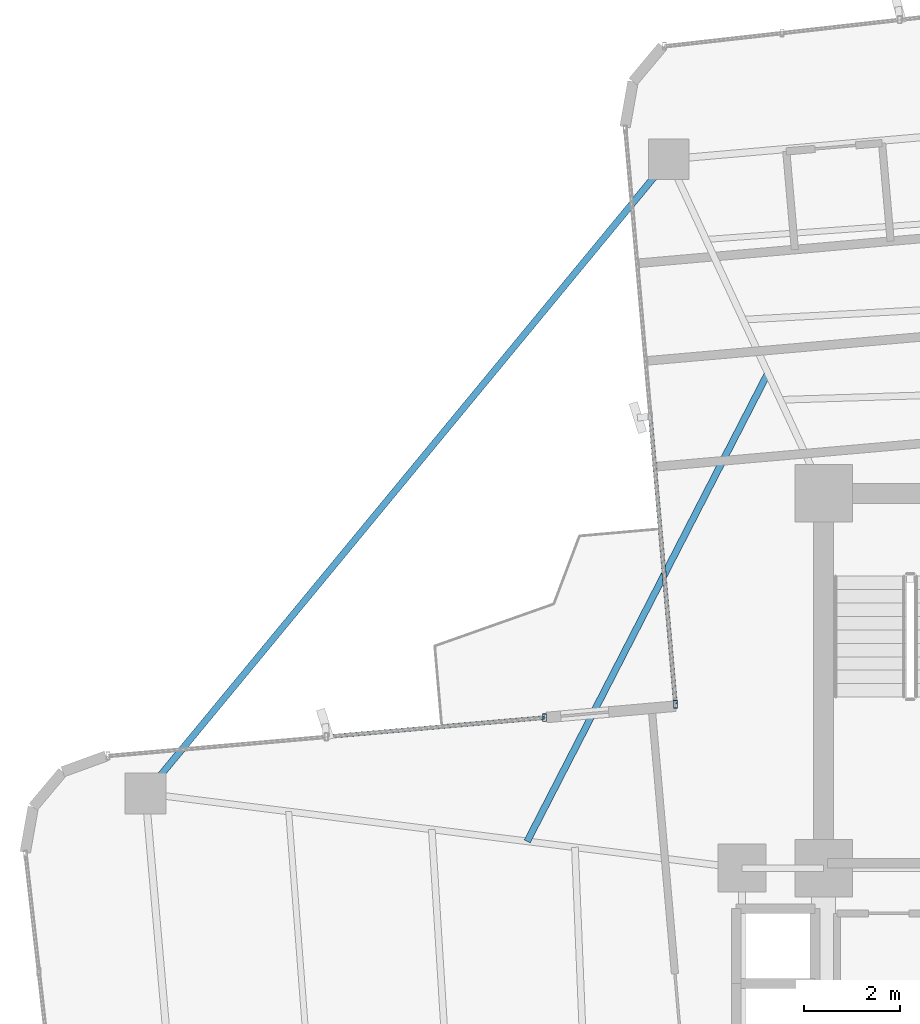
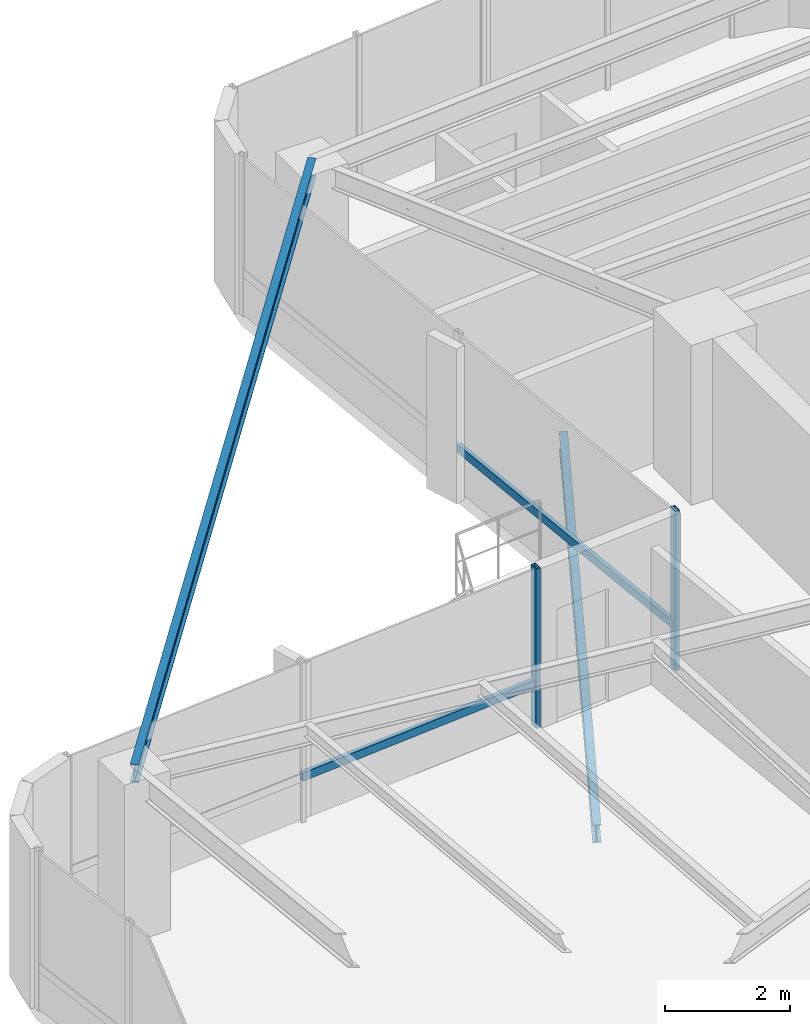
# One storey, part 10 of 24: 4 members, 2 beams, 2 elements without a shape of their own.
"""IFC4 building model written with IfcOpenShell, lengths in metres."""

from ifc_helpers import new_model, si_unit, direction, frame, origin, origin_2d, place, context, subcontext, project, spatial, hollow_rectangle, i_section, extrude, source, transform, mapped, material, material_profile, profile_set, type_object, element, aggregate, save


model = new_model("IFC4")

# Units and contexts
model_context = context("Model", 3, precision=1e-05, world=origin(), true_north=direction((0.0, 1.0)))
body_context = subcontext(model_context, "Body", "Model", "MODEL_VIEW")
ifc_project = project(units=[si_unit("LENGTHUNIT", "METRE"), si_unit("AREAUNIT", "SQUARE_METRE"), si_unit("VOLUMEUNIT", "CUBIC_METRE"), si_unit("PLANEANGLEUNIT", "RADIAN"), si_unit("MASSUNIT", "GRAM", prefix="KILO")], contexts=[model_context])

# Site, building, storey
site_placement = place(None, origin())
site = spatial("IfcSite", under=ifc_project, at=site_placement, CompositionType="ELEMENT")
building_placement = place(site_placement, origin())
building = spatial("IfcBuilding", under=site, at=building_placement, Name="Sahyath Konkavel Grand Hotel", CompositionType="ELEMENT")
storey_placement = place(building_placement, frame((0.0, 0.0, 150.60009765625)))
storey = spatial("IfcBuildingStorey", under=building, at=storey_placement, Name="L41", CompositionType="ELEMENT", Elevation=150.60009765625)

# Beam
ifc_material_1 = material(Name="Steel E350", Category="steel")
ifc_material_profile_1 = material_profile(ifc_material_1, i_section(OverallWidth=0.139892578125, OverallDepth=0.35009765625, WebThickness=0.008056640625, FlangeThickness=0.01416015625, FilletRadius=0.013916015625, at=origin_2d()), Name="ISMB 350")
ifc_profile_set_1 = profile_set([ifc_material_profile_1], Name="Steel E350")
beam_type_1 = type_object("IfcBeamType", Name="BM-ISMB350", PredefinedType="BEAM", material=ifc_profile_set_1)
shared_shape_1 = source(origin(), body_context, "Body", "SweptSolid", [
    extrude(i_section(OverallWidth=0.139892578125, OverallDepth=0.35009765625, WebThickness=0.008056640625, FlangeThickness=0.01416015625, FilletRadius=0.013916015625, at=origin_2d()), origin(), (0.0, 0.0, 1.0), 17.112548828125),
])
beam_1_placement = place(storey_placement, frame((-7.021728515625, 17.1533203125, 2.934814453125), z_axis=(-0.636437070092, -0.77132863023, 0.0), x_axis=(0.77132863023, -0.636437070092, 0.0)))
element("IfcBeam", 1, at=beam_1_placement, inside=storey, type_object=beam_type_1, Name="L41 Re-Entrant Tie Beam NW", PredefinedType="BEAM", context=body_context, shape_type="MappedRepresentation", body=[
    mapped(shared_shape_1, transform((0.0, 0.0, 0.0), scale=1.0)),
])

# Curtain wall, member
ifc_material_2 = material(Name="Anodised Bronze Aluminium & Low-E Glazing", Category="aluminium")
curtain_wall_type = type_object("IfcCurtainWallType", Name="CW-ZONE3", PredefinedType="NOTDEFINED", material=ifc_material_2)
curtain_wall_1_placement = place(storey_placement, origin())
curtain_wall_1 = element("IfcCurtainWall", 2, at=curtain_wall_1_placement, inside=storey, type_object=curtain_wall_type, Name="L41 Unitised Curtain Wall F15", PredefinedType="NOTDEFINED")
ifc_material_3 = material(Name="Anodised Bronze Aluminium", Category="aluminium")
ifc_material_profile_2 = material_profile(ifc_material_3, hollow_rectangle(XDim=0.080078125, YDim=0.159912109375, WallThickness=0.006103515625, at=origin_2d()), Name="RHS 160x80x6")
ifc_profile_set_2 = profile_set([ifc_material_profile_2], Name="Anodised Bronze Aluminium")
member_type_1 = type_object("IfcMemberType", Name="CW-MUL-160", PredefinedType="MULLION", material=ifc_profile_set_2)
shared_shape_2 = source(origin(), body_context, "Body", "SweptSolid", [
    extrude(hollow_rectangle(XDim=0.080078125, YDim=0.159912109375, WallThickness=0.006103515625, at=origin_2d()), origin(), (0.0, 0.0, 1.0), 3.10986328125),
])
member_1_placement = place(storey_placement, frame((-6.8828125, 5.812255859375, 0.0), z_axis=(0.0, 0.0, 1.0), x_axis=(1.0, 0.0, 0.0)))
member_1 = element("IfcMember", 3, at=member_1_placement, type_object=member_type_1, Name="L41 Curtain Wall Mullion F15-2", PredefinedType="MULLION", context=body_context, shape_type="MappedRepresentation", body=[
    mapped(shared_shape_2, transform((0.0, 0.0, 0.0), scale=1.0)),
])

# Curtain wall, members
curtain_wall_2_placement = place(storey_placement, origin())
curtain_wall_2 = element("IfcCurtainWall", 4, at=curtain_wall_2_placement, inside=storey, type_object=curtain_wall_type, Name="L41 Unitised Curtain Wall F16", PredefinedType="NOTDEFINED")
member_2_placement = place(storey_placement, frame((-9.60888671875, 5.53369140625, 0.0), z_axis=(0.0, 0.0, 1.0), x_axis=(1.0, 0.0, 0.0)))
member_2 = element("IfcMember", 5, at=member_2_placement, type_object=member_type_1, Name="L41 Curtain Wall Mullion F16-0", PredefinedType="MULLION", context=body_context, shape_type="MappedRepresentation", body=[
    mapped(shared_shape_2, transform((0.0, 0.0, 0.0), scale=1.0)),
])
ifc_material_profile_3 = material_profile(ifc_material_3, hollow_rectangle(XDim=0.080078125, YDim=0.159912109375, WallThickness=0.006103515625, at=origin_2d()), Name="RHS 160x80x6")
ifc_profile_set_3 = profile_set([ifc_material_profile_3], Name="Anodised Bronze Aluminium")
member_type_2 = type_object("IfcMemberType", Name="CW-TRN-160", PredefinedType="USERDEFINED", material=ifc_profile_set_3)
shared_shape_3 = source(origin(), body_context, "Body", "SweptSolid", [
    extrude(hollow_rectangle(XDim=0.080078125, YDim=0.159912109375, WallThickness=0.006103515625, at=origin_2d()), origin(), (0.0, 0.0, 1.0), 4.56005859375),
])
member_3_placement = place(storey_placement, frame((-9.60888671875, 5.53369140625, 0.849853515625), z_axis=(-0.996189590376, -0.087214104516, 0.0), x_axis=(0.087214104516, -0.996189590376, 0.0)))
member_3 = element("IfcMember", 6, at=member_3_placement, type_object=member_type_2, Name="L41 Curtain Wall Transom F16-0-spandrel", ObjectType="TRANSOM", PredefinedType="USERDEFINED", context=body_context, shape_type="MappedRepresentation", body=[
    mapped(shared_shape_3, transform((0.0, 0.0, 0.0), scale=1.0)),
])
aggregate(curtain_wall_2, [member_2, member_3])

# Member
shared_shape_4 = source(origin(), body_context, "Body", "SweptSolid", [
    extrude(hollow_rectangle(XDim=0.080078125, YDim=0.159912109375, WallThickness=0.006103515625, at=origin_2d()), origin(), (0.0, 0.0, 1.0), 6.010009765625),
])
member_4_placement = place(storey_placement, frame((-7.406494140625, 11.79931640625, 0.849853515625), z_axis=(0.087136210597, -0.996196406741, 0.0), x_axis=(0.996196406741, 0.087136210597, 0.0)))
member_4 = element("IfcMember", 7, at=member_4_placement, type_object=member_type_2, Name="L41 Curtain Wall Transom F15-1-spandrel", ObjectType="TRANSOM", PredefinedType="USERDEFINED", context=body_context, shape_type="MappedRepresentation", body=[
    mapped(shared_shape_4, transform((0.0, 0.0, 0.0), scale=1.0)),
])

aggregate(curtain_wall_1, [member_1, member_4])

# Beam
ifc_material_profile_4 = material_profile(ifc_material_1, i_section(OverallWidth=0.139892578125, OverallDepth=0.35009765625, WebThickness=0.008056640625, FlangeThickness=0.01416015625, FilletRadius=0.013916015625, at=origin_2d()), Name="ISMB 350")
ifc_profile_set_4 = profile_set([ifc_material_profile_4], Name="Steel E350")
beam_type_2 = type_object("IfcBeamType", Name="BM-BALC-CANT", PredefinedType="BEAM", material=ifc_profile_set_4)
shared_shape_5 = source(origin(), body_context, "Body", "SweptSolid", [
    extrude(i_section(OverallWidth=0.139892578125, OverallDepth=0.35009765625, WebThickness=0.008056640625, FlangeThickness=0.01416015625, FilletRadius=0.013916015625, at=origin_2d()), origin(), (0.0, 0.0, 1.0), 10.95556640625),
])
beam_2_placement = place(storey_placement, frame((-4.959716796875, 12.703125, -0.4150390625), z_axis=(-0.457186878355, -0.889370652912, 0.0), x_axis=(0.889370652912, -0.457186878355, 0.0)))
element("IfcBeam", 8, at=beam_2_placement, inside=storey, type_object=beam_type_2, Name="L41 Balcony Cantilever Support Beam NW", PredefinedType="BEAM", context=body_context, shape_type="MappedRepresentation", body=[
    mapped(shared_shape_5, transform((0.0, 0.0, 0.0), scale=1.0)),
])

save(model, "model.ifc")
